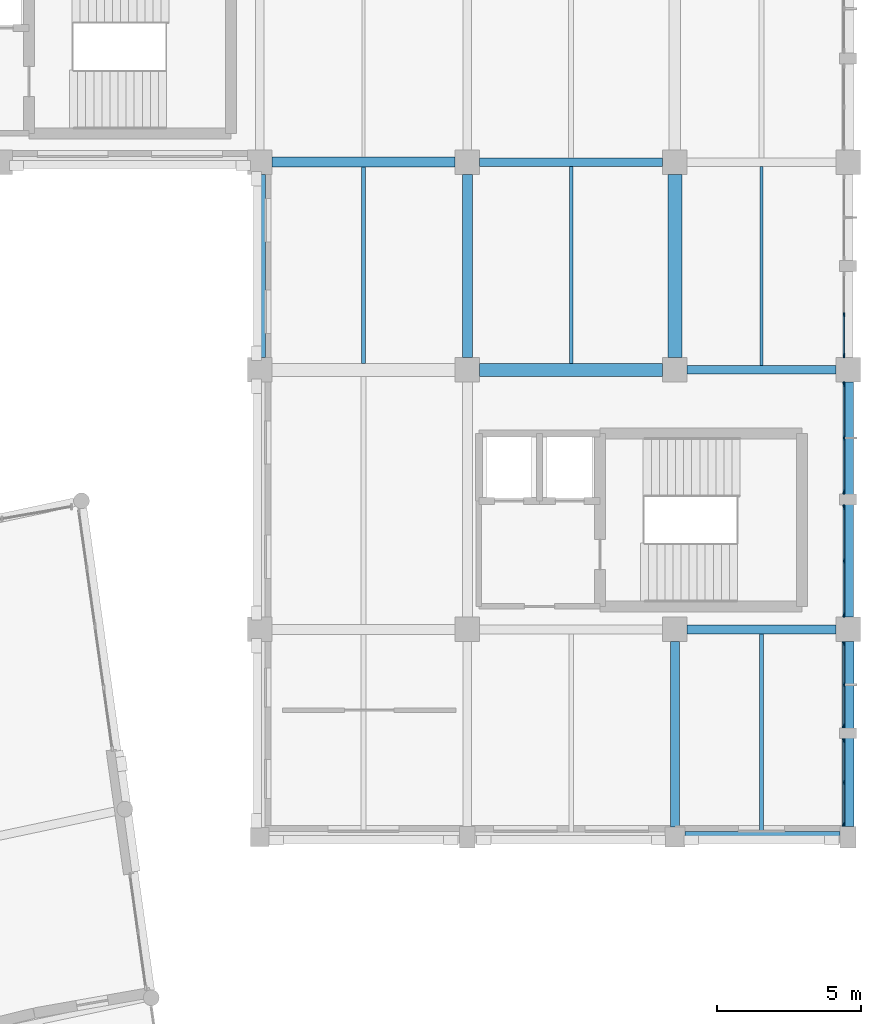
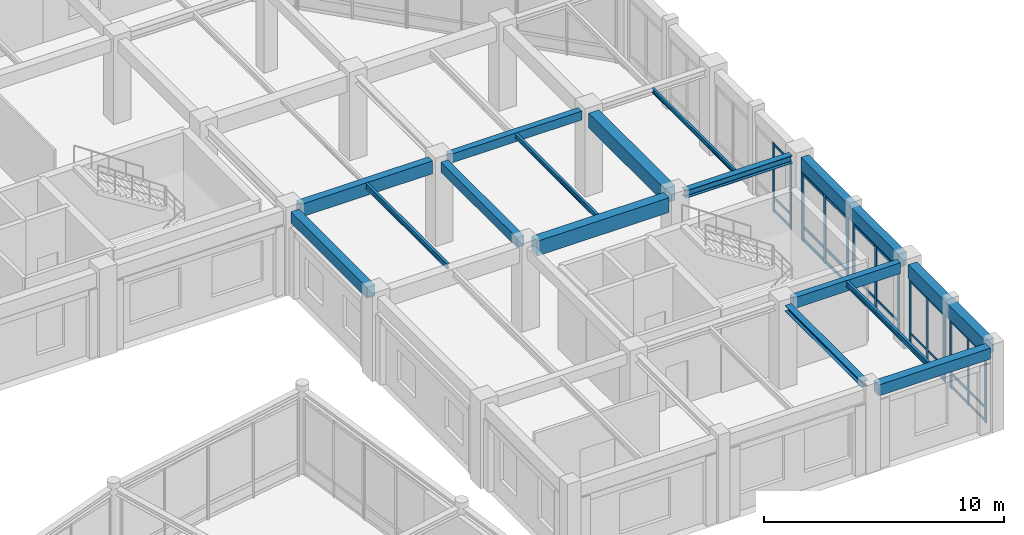
# One storey, part 26 of 62: 41 members, 16 beams, 5 elements without a shape of their own.
"""IFC4 building model written with IfcOpenShell, lengths in metres."""

from ifc_helpers import new_model, si_unit, direction, frame, origin, origin_2d, place, context, subcontext, project, spatial, rectangle, i_section, extrude, material, material_profile, profile_set, type_object, element, aggregate, save


model = new_model("IFC4")

# Units and contexts
model_context = context("Model", 3, precision=1e-05, world=origin(), true_north=direction((0.0, 1.0)))
body_context = subcontext(model_context, "Body", "Model", "MODEL_VIEW")
ifc_project = project(units=[si_unit("LENGTHUNIT", "METRE"), si_unit("AREAUNIT", "SQUARE_METRE"), si_unit("VOLUMEUNIT", "CUBIC_METRE"), si_unit("PLANEANGLEUNIT", "RADIAN"), si_unit("MASSUNIT", "GRAM", prefix="KILO")], contexts=[model_context])

# Site, building, storey
site_placement = place(None, origin())
site = spatial("IfcSite", under=ifc_project, at=site_placement, CompositionType="ELEMENT")
building_placement = place(site_placement, origin())
building = spatial("IfcBuilding", under=site, at=building_placement, Name="Clarverna Civic Hall", CompositionType="ELEMENT")
storey_placement = place(building_placement, frame((0.0, 0.0, 5.10009765625)))
storey = spatial("IfcBuildingStorey", under=building, at=storey_placement, Name="L01", CompositionType="ELEMENT", Elevation=5.10009765625)

# Beams
ifc_material_1 = material(Name="Concrete C35/45", Category="concrete")
ifc_material_profile_1 = material_profile(ifc_material_1, rectangle(XDim=0.35009765625, YDim=0.5, at=origin_2d()), Name="RC 350x500")
ifc_profile_set_1 = profile_set([ifc_material_profile_1], Name="Concrete C35/45")
beam_type_1 = type_object("IfcBeamType", Name="B-RC10", PredefinedType="BEAM", material=ifc_profile_set_1)
beam_1_placement = place(storey_placement, frame((154.800048828125, 88.22509765625, 3.969970703125), z_axis=(0.0, 1.0, 0.0), x_axis=(-1.0, 0.0, 0.0)))
element("IfcBeam", 1, at=beam_1_placement, inside=storey, type_object=beam_type_1, Name="B-RC10-027", PredefinedType="BEAM", context=body_context, shape_type="SweptSolid", body=[
    extrude(rectangle(XDim=0.35009765625, YDim=0.5, at=origin_2d()), origin(), (0.0, 0.0, 1.0), 6.349853515625),
])
ifc_material_profile_2 = material_profile(ifc_material_1, rectangle(XDim=0.300048828125, YDim=0.550048828125, at=origin_2d()), Name="RC 300x550")
ifc_profile_set_2 = profile_set([ifc_material_profile_2], Name="Concrete C35/45")
beam_type_2 = type_object("IfcBeamType", Name="B-RC11", PredefinedType="BEAM", material=ifc_profile_set_2)
beam_2_placement = place(storey_placement, frame((162.425048828125, 78.800048828125, 3.94482421875), z_axis=(1.0, 0.0, 0.0), x_axis=(0.0, 1.0, 0.0)))
element("IfcBeam", 2, at=beam_2_placement, inside=storey, type_object=beam_type_2, Name="B-RC11-024", PredefinedType="BEAM", context=body_context, shape_type="SweptSolid", body=[
    extrude(rectangle(XDim=0.300048828125, YDim=0.550048828125, at=origin_2d()), origin(), (0.0, 0.0, 1.0), 5.14990234375),
])
ifc_material_profile_3 = material_profile(ifc_material_1, rectangle(XDim=0.5, YDim=0.75, at=origin_2d()), Name="RC 500x750")
ifc_profile_set_3 = profile_set([ifc_material_profile_3], Name="Concrete C35/45")
beam_type_3 = type_object("IfcBeamType", Name="B-RC15", PredefinedType="BEAM", material=ifc_profile_set_3)
beam_3_placement = place(storey_placement, frame((162.0, 88.22509765625, 3.844970703125), z_axis=(0.0, 1.0, 0.0), x_axis=(-1.0, 0.0, 0.0)))
element("IfcBeam", 3, at=beam_3_placement, inside=storey, type_object=beam_type_3, Name="B-RC15-033", PredefinedType="BEAM", context=body_context, shape_type="SweptSolid", body=[
    extrude(rectangle(XDim=0.5, YDim=0.75, at=origin_2d()), origin(), (0.0, 0.0, 1.0), 6.349853515625),
])
ifc_material_profile_4 = material_profile(ifc_material_1, rectangle(XDim=0.35009765625, YDim=0.64990234375, at=origin_2d()), Name="RC 350x650")
ifc_profile_set_4 = profile_set([ifc_material_profile_4], Name="Concrete C35/45")
beam_type_4 = type_object("IfcBeamType", Name="B-RC17", PredefinedType="BEAM", material=ifc_profile_set_4)
beam_4_placement = place(storey_placement, frame((148.02490234375, 95.0, 3.89501953125), z_axis=(1.0, 0.0, 0.0), x_axis=(0.0, 1.0, 0.0)))
element("IfcBeam", 4, at=beam_4_placement, inside=storey, type_object=beam_type_4, Name="B-RC17-025", PredefinedType="BEAM", context=body_context, shape_type="SweptSolid", body=[
    extrude(rectangle(XDim=0.35009765625, YDim=0.64990234375, at=origin_2d()), origin(), (0.0, 0.0, 1.0), 6.35009765625),
])
ifc_material_profile_5 = material_profile(ifc_material_1, rectangle(XDim=0.300048828125, YDim=0.449951171875, at=origin_2d()), Name="RC 300x450")
ifc_profile_set_5 = profile_set([ifc_material_profile_5], Name="Concrete C35/45")
beam_type_5 = type_object("IfcBeamType", Name="B-RC18", PredefinedType="BEAM", material=ifc_profile_set_5)
beam_5_placement = place(storey_placement, frame((155.22509765625, 95.0, 3.994873046875), z_axis=(1.0, 0.0, 0.0), x_axis=(0.0, 1.0, 0.0)))
element("IfcBeam", 5, at=beam_5_placement, inside=storey, type_object=beam_type_5, Name="B-RC18-024", PredefinedType="BEAM", context=body_context, shape_type="SweptSolid", body=[
    extrude(rectangle(XDim=0.300048828125, YDim=0.449951171875, at=origin_2d()), origin(), (0.0, 0.0, 1.0), 6.349853515625),
])
ifc_material_profile_6 = material_profile(ifc_material_1, rectangle(XDim=0.449951171875, YDim=0.75, at=origin_2d()), Name="RC 450x750")
ifc_profile_set_6 = profile_set([ifc_material_profile_6], Name="Concrete C35/45")
beam_type_6 = type_object("IfcBeamType", Name="B-RC3", PredefinedType="BEAM", material=ifc_profile_set_6)
beam_6_placement = place(storey_placement, frame((155.22509765625, 87.800048828125, 3.844970703125), z_axis=(1.0, 0.0, 0.0), x_axis=(0.0, 1.0, 0.0)))
element("IfcBeam", 6, at=beam_6_placement, inside=storey, type_object=beam_type_6, Name="B-RC3-023", PredefinedType="BEAM", context=body_context, shape_type="SweptSolid", body=[
    extrude(rectangle(XDim=0.449951171875, YDim=0.75, at=origin_2d()), origin(), (0.0, 0.0, 1.0), 6.349853515625),
])
ifc_material_profile_7 = material_profile(ifc_material_1, rectangle(XDim=0.419921875, YDim=0.719970703125, at=origin_2d()), Name="RC 420x720")
ifc_profile_set_7 = profile_set([ifc_material_profile_7], Name="Concrete C35/45")
beam_type_7 = type_object("IfcBeamType", Name="B-SP1", PredefinedType="SPANDREL", material=ifc_profile_set_7)
beam_7_placement = place(storey_placement, frame((168.0, 71.97509765625, 3.85986328125), z_axis=(0.0, 1.0, 0.0), x_axis=(-1.0, 0.0, 0.0)))
element("IfcBeam", 7, at=beam_7_placement, inside=storey, type_object=beam_type_7, Name="B-SP1-080", PredefinedType="SPANDREL", context=body_context, shape_type="SweptSolid", body=[
    extrude(rectangle(XDim=0.419921875, YDim=0.719970703125, at=origin_2d()), origin(), (0.0, 0.0, 1.0), 6.39990234375),
])
ifc_material_profile_8 = material_profile(ifc_material_1, rectangle(XDim=0.3798828125, YDim=0.679931640625, at=origin_2d()), Name="RC 380x680")
ifc_profile_set_8 = profile_set([ifc_material_profile_8], Name="Concrete C35/45")
beam_type_8 = type_object("IfcBeamType", Name="B-SP2", PredefinedType="SPANDREL", material=ifc_profile_set_8)
beam_8_placement = place(storey_placement, frame((168.0, 79.22509765625, 3.8798828125), z_axis=(0.0, 1.0, 0.0), x_axis=(-1.0, 0.0, 0.0)))
element("IfcBeam", 8, at=beam_8_placement, inside=storey, type_object=beam_type_8, Name="B-SP2-081", PredefinedType="SPANDREL", context=body_context, shape_type="SweptSolid", body=[
    extrude(rectangle(XDim=0.3798828125, YDim=0.679931640625, at=origin_2d()), origin(), (0.0, 0.0, 1.0), 8.14990234375),
])
ifc_material_profile_9 = material_profile(ifc_material_1, rectangle(XDim=0.39990234375, YDim=0.56005859375, at=origin_2d()), Name="RC 400x560")
ifc_profile_set_9 = profile_set([ifc_material_profile_9], Name="Concrete C35/45")
beam_type_9 = type_object("IfcBeamType", Name="B-SP4", PredefinedType="SPANDREL", material=ifc_profile_set_9)
beam_9_placement = place(storey_placement, frame((162.35009765625, 71.60009765625, 3.93994140625), z_axis=(1.0, 0.0, 0.0), x_axis=(0.0, 1.0, 0.0)))
element("IfcBeam", 9, at=beam_9_placement, inside=storey, type_object=beam_type_9, Name="B-SP4-059", PredefinedType="SPANDREL", context=body_context, shape_type="SweptSolid", body=[
    extrude(rectangle(XDim=0.39990234375, YDim=0.56005859375, at=origin_2d()), origin(), (0.0, 0.0, 1.0), 5.375),
])
beam_10_placement = place(storey_placement, frame((147.60009765625, 88.22509765625, 3.93994140625), z_axis=(0.0, 1.0, 0.0), x_axis=(-1.0, 0.0, 0.0)))
element("IfcBeam", 10, at=beam_10_placement, inside=storey, type_object=beam_type_9, Name="B-SP4-079", PredefinedType="SPANDREL", context=body_context, shape_type="SweptSolid", body=[
    extrude(rectangle(XDim=0.39990234375, YDim=0.56005859375, at=origin_2d()), origin(), (0.0, 0.0, 1.0), 6.349853515625),
])
ifc_material_2 = material(Name="Steel S355", Category="steel")
ifc_material_profile_10 = material_profile(ifc_material_2, i_section(OverallWidth=0.300048828125, OverallDepth=0.2900390625, WebThickness=0.008544921875, FlangeThickness=0.013916015625, FilletRadius=0.027099609375, at=origin_2d()), Name="HEA 300")
ifc_profile_set_10 = profile_set([ifc_material_profile_10], Name="Steel S355")
beam_type_10 = type_object("IfcBeamType", Name="B-ST10", PredefinedType="BEAM", material=ifc_profile_set_10)
beam_11_placement = place(storey_placement, frame((162.0, 71.949951171875, 4.074951171875), z_axis=(0.0, 1.0, 0.0), x_axis=(-1.0, 0.0, 0.0)))
element("IfcBeam", 11, at=beam_11_placement, inside=storey, type_object=beam_type_10, Name="B-ST10-006", PredefinedType="BEAM", context=body_context, shape_type="SweptSolid", body=[
    extrude(i_section(OverallWidth=0.300048828125, OverallDepth=0.2900390625, WebThickness=0.008544921875, FlangeThickness=0.013916015625, FilletRadius=0.027099609375, at=origin_2d()), origin(), (0.0, 0.0, 1.0), 6.425048828125),
])
ifc_material_profile_11 = material_profile(ifc_material_2, i_section(OverallWidth=0.300048828125, OverallDepth=0.389892578125, WebThickness=0.010986328125, FlangeThickness=0.01904296875, FilletRadius=0.027099609375, at=origin_2d()), Name="HEA 400")
ifc_profile_set_11 = profile_set([ifc_material_profile_11], Name="Steel S355")
beam_type_11 = type_object("IfcBeamType", Name="B-ST6", PredefinedType="BEAM", material=ifc_profile_set_11)
beam_12_placement = place(storey_placement, frame((162.425048828125, 87.800048828125, 4.02490234375), z_axis=(1.0, 0.0, 0.0), x_axis=(0.0, 1.0, 0.0)))
element("IfcBeam", 12, at=beam_12_placement, inside=storey, type_object=beam_type_11, Name="B-ST6-005", PredefinedType="BEAM", context=body_context, shape_type="SweptSolid", body=[
    extrude(i_section(OverallWidth=0.300048828125, OverallDepth=0.389892578125, WebThickness=0.010986328125, FlangeThickness=0.01904296875, FilletRadius=0.027099609375, at=origin_2d()), origin(), (0.0, 0.0, 1.0), 5.14990234375),
])

# Curtain wall, members
ifc_material_3 = material(Name="Anodised Bronze Architectural Aluminium", Category="aluminium")
curtain_wall_type = type_object("IfcCurtainWallType", Name="CW-01", PredefinedType="USERDEFINED", material=ifc_material_3)
curtain_wall_1_placement = place(storey_placement, origin())
curtain_wall_1 = element("IfcCurtainWall", 13, at=curtain_wall_1_placement, inside=storey, type_object=curtain_wall_type, Name="CW-01-010", ObjectType="UNITISED CURTAIN WALL", PredefinedType="USERDEFINED")
ifc_material_profile_12 = material_profile(ifc_material_3, rectangle(XDim=0.06005859375, YDim=0.159912109375, at=origin_2d()), Name="BRONZE 60x160")
ifc_profile_set_12 = profile_set([ifc_material_profile_12], Name="Anodised Bronze Architectural Aluminium")
member_type_1 = type_object("IfcMemberType", Name="CWM-02", PredefinedType="MULLION", material=ifc_profile_set_12)
member_1_placement = place(storey_placement, frame((167.860107421875, 87.302001953125, 0.0), z_axis=(0.0, 0.0, 1.0), x_axis=(1.0, 0.0, 0.0)))
member_1 = element("IfcMember", 14, at=member_1_placement, type_object=member_type_1, Name="CWM-02-046", PredefinedType="MULLION", context=body_context, shape_type="SweptSolid", body=[
    extrude(rectangle(XDim=0.06005859375, YDim=0.159912109375, at=origin_2d()), origin(), (0.0, 0.0, 1.0), 3.5),
])
member_2_placement = place(storey_placement, frame((167.860107421875, 85.4326171875, 0.0), z_axis=(0.0, 0.0, 1.0), x_axis=(1.0, 0.0, 0.0)))
member_2 = element("IfcMember", 15, at=member_2_placement, type_object=member_type_1, Name="CWM-02-047", PredefinedType="MULLION", context=body_context, shape_type="SweptSolid", body=[
    extrude(rectangle(XDim=0.06005859375, YDim=0.159912109375, at=origin_2d()), origin(), (0.0, 0.0, 1.0), 3.5),
])
member_3_placement = place(storey_placement, frame((167.860107421875, 83.56298828125, 0.0), z_axis=(0.0, 0.0, 1.0), x_axis=(1.0, 0.0, 0.0)))
member_3 = element("IfcMember", 16, at=member_3_placement, type_object=member_type_1, Name="CWM-02-048", PredefinedType="MULLION", context=body_context, shape_type="SweptSolid", body=[
    extrude(rectangle(XDim=0.06005859375, YDim=0.159912109375, at=origin_2d()), origin(), (0.0, 0.0, 1.0), 3.5),
])

curtain_wall_2_placement = place(storey_placement, origin())
curtain_wall_2 = element("IfcCurtainWall", 17, at=curtain_wall_2_placement, inside=storey, type_object=curtain_wall_type, Name="CW-01-011", ObjectType="UNITISED CURTAIN WALL", PredefinedType="USERDEFINED")
member_4_placement = place(storey_placement, frame((167.860107421875, 83.037109375, 0.0), z_axis=(0.0, 0.0, 1.0), x_axis=(1.0, 0.0, 0.0)))
member_4 = element("IfcMember", 18, at=member_4_placement, type_object=member_type_1, Name="CWM-02-049", PredefinedType="MULLION", context=body_context, shape_type="SweptSolid", body=[
    extrude(rectangle(XDim=0.06005859375, YDim=0.159912109375, at=origin_2d()), origin(), (0.0, 0.0, 1.0), 3.5),
])
member_5_placement = place(storey_placement, frame((167.860107421875, 81.16748046875, 0.0), z_axis=(0.0, 0.0, 1.0), x_axis=(1.0, 0.0, 0.0)))
member_5 = element("IfcMember", 19, at=member_5_placement, type_object=member_type_1, Name="CWM-02-050", PredefinedType="MULLION", context=body_context, shape_type="SweptSolid", body=[
    extrude(rectangle(XDim=0.06005859375, YDim=0.159912109375, at=origin_2d()), origin(), (0.0, 0.0, 1.0), 3.5),
])
member_6_placement = place(storey_placement, frame((167.860107421875, 79.298095703125, 0.0), z_axis=(0.0, 0.0, 1.0), x_axis=(1.0, 0.0, 0.0)))
member_6 = element("IfcMember", 20, at=member_6_placement, type_object=member_type_1, Name="CWM-02-051", PredefinedType="MULLION", context=body_context, shape_type="SweptSolid", body=[
    extrude(rectangle(XDim=0.06005859375, YDim=0.159912109375, at=origin_2d()), origin(), (0.0, 0.0, 1.0), 3.5),
])

curtain_wall_3_placement = place(storey_placement, origin())
curtain_wall_3 = element("IfcCurtainWall", 21, at=curtain_wall_3_placement, inside=storey, type_object=curtain_wall_type, Name="CW-01-009", ObjectType="UNITISED CURTAIN WALL", PredefinedType="USERDEFINED")
ifc_material_profile_13 = material_profile(ifc_material_3, rectangle(XDim=0.054931640625, YDim=0.139892578125, at=origin_2d()), Name="BRONZE 55x140")
ifc_profile_set_13 = profile_set([ifc_material_profile_13], Name="Anodised Bronze Architectural Aluminium")
member_type_2 = type_object("IfcMemberType", Name="CWM-04", PredefinedType="MULLION", material=ifc_profile_set_13)
member_7_placement = place(storey_placement, frame((167.860107421875, 89.717529296875, 0.0), z_axis=(0.0, 0.0, 1.0), x_axis=(1.0, 0.0, 0.0)))
member_7 = element("IfcMember", 22, at=member_7_placement, type_object=member_type_2, Name="CWM-04-046", PredefinedType="MULLION", context=body_context, shape_type="SweptSolid", body=[
    extrude(rectangle(XDim=0.054931640625, YDim=0.139892578125, at=origin_2d()), origin(), (0.0, 0.0, 1.0), 3.539794921875),
])
member_8_placement = place(storey_placement, frame((167.860107421875, 88.298095703125, 0.0), z_axis=(0.0, 0.0, 1.0), x_axis=(1.0, 0.0, 0.0)))
member_8 = element("IfcMember", 23, at=member_8_placement, type_object=member_type_2, Name="CWM-04-047", PredefinedType="MULLION", context=body_context, shape_type="SweptSolid", body=[
    extrude(rectangle(XDim=0.054931640625, YDim=0.139892578125, at=origin_2d()), origin(), (0.0, 0.0, 1.0), 3.539794921875),
])

curtain_wall_4_placement = place(storey_placement, origin())
curtain_wall_4 = element("IfcCurtainWall", 24, at=curtain_wall_4_placement, inside=storey, type_object=curtain_wall_type, Name="CW-01-012", ObjectType="UNITISED CURTAIN WALL", PredefinedType="USERDEFINED")
member_9_placement = place(storey_placement, frame((167.860107421875, 78.302001953125, 0.0), z_axis=(0.0, 0.0, 1.0), x_axis=(1.0, 0.0, 0.0)))
member_9 = element("IfcMember", 25, at=member_9_placement, type_object=member_type_2, Name="CWM-04-048", PredefinedType="MULLION", context=body_context, shape_type="SweptSolid", body=[
    extrude(rectangle(XDim=0.054931640625, YDim=0.139892578125, at=origin_2d()), origin(), (0.0, 0.0, 1.0), 3.5),
])
member_10_placement = place(storey_placement, frame((167.860107421875, 76.882568359375, 0.0), z_axis=(0.0, 0.0, 1.0), x_axis=(1.0, 0.0, 0.0)))
member_10 = element("IfcMember", 26, at=member_10_placement, type_object=member_type_2, Name="CWM-04-049", PredefinedType="MULLION", context=body_context, shape_type="SweptSolid", body=[
    extrude(rectangle(XDim=0.054931640625, YDim=0.139892578125, at=origin_2d()), origin(), (0.0, 0.0, 1.0), 3.5),
])
member_11_placement = place(storey_placement, frame((167.860107421875, 75.462890625, 0.0), z_axis=(0.0, 0.0, 1.0), x_axis=(1.0, 0.0, 0.0)))
member_11 = element("IfcMember", 27, at=member_11_placement, type_object=member_type_2, Name="CWM-04-050", PredefinedType="MULLION", context=body_context, shape_type="SweptSolid", body=[
    extrude(rectangle(XDim=0.054931640625, YDim=0.139892578125, at=origin_2d()), origin(), (0.0, 0.0, 1.0), 3.5),
])

curtain_wall_5_placement = place(storey_placement, origin())
curtain_wall_5 = element("IfcCurtainWall", 28, at=curtain_wall_5_placement, inside=storey, type_object=curtain_wall_type, Name="CW-01-013", ObjectType="UNITISED CURTAIN WALL", PredefinedType="USERDEFINED")
member_12_placement = place(storey_placement, frame((167.860107421875, 74.93701171875, 0.0), z_axis=(0.0, 0.0, 1.0), x_axis=(1.0, 0.0, 0.0)))
member_12 = element("IfcMember", 29, at=member_12_placement, type_object=member_type_2, Name="CWM-04-051", PredefinedType="MULLION", context=body_context, shape_type="SweptSolid", body=[
    extrude(rectangle(XDim=0.054931640625, YDim=0.139892578125, at=origin_2d()), origin(), (0.0, 0.0, 1.0), 3.5),
])
member_13_placement = place(storey_placement, frame((167.860107421875, 73.492431640625, 0.0), z_axis=(0.0, 0.0, 1.0), x_axis=(1.0, 0.0, 0.0)))
member_13 = element("IfcMember", 30, at=member_13_placement, type_object=member_type_2, Name="CWM-04-052", PredefinedType="MULLION", context=body_context, shape_type="SweptSolid", body=[
    extrude(rectangle(XDim=0.054931640625, YDim=0.139892578125, at=origin_2d()), origin(), (0.0, 0.0, 1.0), 3.5),
])
member_14_placement = place(storey_placement, frame((167.860107421875, 72.048095703125, 0.0), z_axis=(0.0, 0.0, 1.0), x_axis=(1.0, 0.0, 0.0)))
member_14 = element("IfcMember", 31, at=member_14_placement, type_object=member_type_2, Name="CWM-04-053", PredefinedType="MULLION", context=body_context, shape_type="SweptSolid", body=[
    extrude(rectangle(XDim=0.054931640625, YDim=0.139892578125, at=origin_2d()), origin(), (0.0, 0.0, 1.0), 3.5),
])

# Member
ifc_material_profile_14 = material_profile(ifc_material_3, rectangle(XDim=0.06005859375, YDim=0.1298828125, at=origin_2d()), Name="BRONZE 60x130")
ifc_profile_set_14 = profile_set([ifc_material_profile_14], Name="Anodised Bronze Architectural Aluminium")
member_type_3 = type_object("IfcMemberType", Name="CWT-02", PredefinedType="USERDEFINED", material=ifc_profile_set_14)
member_15_placement = place(storey_placement, frame((167.860107421875, 87.287109375, 0.094970703125), z_axis=(0.0, -1.0, 0.0), x_axis=(1.0, 0.0, 0.0)))
member_15 = element("IfcMember", 32, at=member_15_placement, type_object=member_type_3, Name="CWT-02-094", ObjectType="TRANSOM", PredefinedType="USERDEFINED", context=body_context, shape_type="SweptSolid", body=[
    extrude(rectangle(XDim=0.06005859375, YDim=0.1298828125, at=origin_2d()), origin(), (0.0, 0.0, 1.0), 1.839599609375),
])

member_16_placement = place(storey_placement, frame((167.860107421875, 87.287109375, 0.75), z_axis=(0.0, -1.0, 0.0), x_axis=(1.0, 0.0, 0.0)))
member_16 = element("IfcMember", 33, at=member_16_placement, type_object=member_type_3, Name="CWT-02-095", ObjectType="TRANSOM", PredefinedType="USERDEFINED", context=body_context, shape_type="SweptSolid", body=[
    extrude(rectangle(XDim=0.06005859375, YDim=0.1298828125, at=origin_2d()), origin(), (0.0, 0.0, 1.0), 1.839599609375),
])

member_17_placement = place(storey_placement, frame((167.860107421875, 87.287109375, 3.40478515625), z_axis=(0.0, -1.0, 0.0), x_axis=(1.0, 0.0, 0.0)))
member_17 = element("IfcMember", 34, at=member_17_placement, type_object=member_type_3, Name="CWT-02-096", ObjectType="TRANSOM", PredefinedType="USERDEFINED", context=body_context, shape_type="SweptSolid", body=[
    extrude(rectangle(XDim=0.06005859375, YDim=0.1298828125, at=origin_2d()), origin(), (0.0, 0.0, 1.0), 1.839599609375),
])

member_18_placement = place(storey_placement, frame((167.860107421875, 85.41748046875, 0.094970703125), z_axis=(0.0, -1.0, 0.0), x_axis=(1.0, 0.0, 0.0)))
member_18 = element("IfcMember", 35, at=member_18_placement, type_object=member_type_3, Name="CWT-02-097", ObjectType="TRANSOM", PredefinedType="USERDEFINED", context=body_context, shape_type="SweptSolid", body=[
    extrude(rectangle(XDim=0.06005859375, YDim=0.1298828125, at=origin_2d()), origin(), (0.0, 0.0, 1.0), 1.839599609375),
])

member_19_placement = place(storey_placement, frame((167.860107421875, 85.41748046875, 0.75), z_axis=(0.0, -1.0, 0.0), x_axis=(1.0, 0.0, 0.0)))
member_19 = element("IfcMember", 36, at=member_19_placement, type_object=member_type_3, Name="CWT-02-098", ObjectType="TRANSOM", PredefinedType="USERDEFINED", context=body_context, shape_type="SweptSolid", body=[
    extrude(rectangle(XDim=0.06005859375, YDim=0.1298828125, at=origin_2d()), origin(), (0.0, 0.0, 1.0), 1.839599609375),
])

member_20_placement = place(storey_placement, frame((167.860107421875, 85.41748046875, 3.40478515625), z_axis=(0.0, -1.0, 0.0), x_axis=(1.0, 0.0, 0.0)))
member_20 = element("IfcMember", 37, at=member_20_placement, type_object=member_type_3, Name="CWT-02-099", ObjectType="TRANSOM", PredefinedType="USERDEFINED", context=body_context, shape_type="SweptSolid", body=[
    extrude(rectangle(XDim=0.06005859375, YDim=0.1298828125, at=origin_2d()), origin(), (0.0, 0.0, 1.0), 1.839599609375),
])

aggregate(curtain_wall_1, [member_1, member_2, member_3, member_15, member_16, member_17, member_18, member_19, member_20])

member_21_placement = place(storey_placement, frame((167.860107421875, 83.02197265625, 0.094970703125), z_axis=(0.0, -1.0, 0.0), x_axis=(1.0, 0.0, 0.0)))
member_21 = element("IfcMember", 38, at=member_21_placement, type_object=member_type_3, Name="CWT-02-100", ObjectType="TRANSOM", PredefinedType="USERDEFINED", context=body_context, shape_type="SweptSolid", body=[
    extrude(rectangle(XDim=0.06005859375, YDim=0.1298828125, at=origin_2d()), origin(), (0.0, 0.0, 1.0), 1.83935546875),
])

member_22_placement = place(storey_placement, frame((167.860107421875, 83.02197265625, 0.75), z_axis=(0.0, -1.0, 0.0), x_axis=(1.0, 0.0, 0.0)))
member_22 = element("IfcMember", 39, at=member_22_placement, type_object=member_type_3, Name="CWT-02-101", ObjectType="TRANSOM", PredefinedType="USERDEFINED", context=body_context, shape_type="SweptSolid", body=[
    extrude(rectangle(XDim=0.06005859375, YDim=0.1298828125, at=origin_2d()), origin(), (0.0, 0.0, 1.0), 1.83935546875),
])

member_23_placement = place(storey_placement, frame((167.860107421875, 83.02197265625, 3.40478515625), z_axis=(0.0, -1.0, 0.0), x_axis=(1.0, 0.0, 0.0)))
member_23 = element("IfcMember", 40, at=member_23_placement, type_object=member_type_3, Name="CWT-02-102", ObjectType="TRANSOM", PredefinedType="USERDEFINED", context=body_context, shape_type="SweptSolid", body=[
    extrude(rectangle(XDim=0.06005859375, YDim=0.1298828125, at=origin_2d()), origin(), (0.0, 0.0, 1.0), 1.83935546875),
])

member_24_placement = place(storey_placement, frame((167.860107421875, 81.152587890625, 0.094970703125), z_axis=(0.0, -1.0, 0.0), x_axis=(1.0, 0.0, 0.0)))
member_24 = element("IfcMember", 41, at=member_24_placement, type_object=member_type_3, Name="CWT-02-103", ObjectType="TRANSOM", PredefinedType="USERDEFINED", context=body_context, shape_type="SweptSolid", body=[
    extrude(rectangle(XDim=0.06005859375, YDim=0.1298828125, at=origin_2d()), origin(), (0.0, 0.0, 1.0), 1.839599609375),
])

member_25_placement = place(storey_placement, frame((167.860107421875, 81.152587890625, 0.75), z_axis=(0.0, -1.0, 0.0), x_axis=(1.0, 0.0, 0.0)))
member_25 = element("IfcMember", 42, at=member_25_placement, type_object=member_type_3, Name="CWT-02-104", ObjectType="TRANSOM", PredefinedType="USERDEFINED", context=body_context, shape_type="SweptSolid", body=[
    extrude(rectangle(XDim=0.06005859375, YDim=0.1298828125, at=origin_2d()), origin(), (0.0, 0.0, 1.0), 1.839599609375),
])

member_26_placement = place(storey_placement, frame((167.860107421875, 81.152587890625, 3.40478515625), z_axis=(0.0, -1.0, 0.0), x_axis=(1.0, 0.0, 0.0)))
member_26 = element("IfcMember", 43, at=member_26_placement, type_object=member_type_3, Name="CWT-02-105", ObjectType="TRANSOM", PredefinedType="USERDEFINED", context=body_context, shape_type="SweptSolid", body=[
    extrude(rectangle(XDim=0.06005859375, YDim=0.1298828125, at=origin_2d()), origin(), (0.0, 0.0, 1.0), 1.839599609375),
])

aggregate(curtain_wall_2, [member_4, member_5, member_6, member_21, member_22, member_23, member_24, member_25, member_26])

ifc_material_profile_15 = material_profile(ifc_material_3, rectangle(XDim=0.054931640625, YDim=0.110107421875, at=origin_2d()), Name="BRONZE 55x110")
ifc_profile_set_15 = profile_set([ifc_material_profile_15], Name="Anodised Bronze Architectural Aluminium")
member_type_4 = type_object("IfcMemberType", Name="CWT-04", PredefinedType="USERDEFINED", material=ifc_profile_set_15)
member_27_placement = place(storey_placement, frame((167.860107421875, 89.702392578125, 0.094970703125), z_axis=(0.0, -1.0, 0.0), x_axis=(1.0, 0.0, 0.0)))
member_27 = element("IfcMember", 44, at=member_27_placement, type_object=member_type_4, Name="CWT-04-097", ObjectType="TRANSOM", PredefinedType="USERDEFINED", context=body_context, shape_type="SweptSolid", body=[
    extrude(rectangle(XDim=0.054931640625, YDim=0.110107421875, at=origin_2d()), origin(), (0.0, 0.0, 1.0), 1.389404296875),
])

member_28_placement = place(storey_placement, frame((167.860107421875, 89.702392578125, 0.75), z_axis=(0.0, -1.0, 0.0), x_axis=(1.0, 0.0, 0.0)))
member_28 = element("IfcMember", 45, at=member_28_placement, type_object=member_type_4, Name="CWT-04-098", ObjectType="TRANSOM", PredefinedType="USERDEFINED", context=body_context, shape_type="SweptSolid", body=[
    extrude(rectangle(XDim=0.054931640625, YDim=0.110107421875, at=origin_2d()), origin(), (0.0, 0.0, 1.0), 1.389404296875),
])

member_29_placement = place(storey_placement, frame((167.860107421875, 89.702392578125, 3.44482421875), z_axis=(0.0, -1.0, 0.0), x_axis=(1.0, 0.0, 0.0)))
member_29 = element("IfcMember", 46, at=member_29_placement, type_object=member_type_4, Name="CWT-04-099", ObjectType="TRANSOM", PredefinedType="USERDEFINED", context=body_context, shape_type="SweptSolid", body=[
    extrude(rectangle(XDim=0.054931640625, YDim=0.110107421875, at=origin_2d()), origin(), (0.0, 0.0, 1.0), 1.389404296875),
])

aggregate(curtain_wall_3, [member_7, member_8, member_27, member_28, member_29])

member_30_placement = place(storey_placement, frame((167.860107421875, 78.287109375, 0.094970703125), z_axis=(0.0, -1.0, 0.0), x_axis=(1.0, 0.0, 0.0)))
member_30 = element("IfcMember", 47, at=member_30_placement, type_object=member_type_4, Name="CWT-04-100", ObjectType="TRANSOM", PredefinedType="USERDEFINED", context=body_context, shape_type="SweptSolid", body=[
    extrude(rectangle(XDim=0.054931640625, YDim=0.110107421875, at=origin_2d()), origin(), (0.0, 0.0, 1.0), 1.3896484375),
])

member_31_placement = place(storey_placement, frame((167.860107421875, 78.287109375, 0.75), z_axis=(0.0, -1.0, 0.0), x_axis=(1.0, 0.0, 0.0)))
member_31 = element("IfcMember", 48, at=member_31_placement, type_object=member_type_4, Name="CWT-04-101", ObjectType="TRANSOM", PredefinedType="USERDEFINED", context=body_context, shape_type="SweptSolid", body=[
    extrude(rectangle(XDim=0.054931640625, YDim=0.110107421875, at=origin_2d()), origin(), (0.0, 0.0, 1.0), 1.3896484375),
])

member_32_placement = place(storey_placement, frame((167.860107421875, 78.287109375, 3.40478515625), z_axis=(0.0, -1.0, 0.0), x_axis=(1.0, 0.0, 0.0)))
member_32 = element("IfcMember", 49, at=member_32_placement, type_object=member_type_4, Name="CWT-04-102", ObjectType="TRANSOM", PredefinedType="USERDEFINED", context=body_context, shape_type="SweptSolid", body=[
    extrude(rectangle(XDim=0.054931640625, YDim=0.110107421875, at=origin_2d()), origin(), (0.0, 0.0, 1.0), 1.3896484375),
])

member_33_placement = place(storey_placement, frame((167.860107421875, 76.867431640625, 0.094970703125), z_axis=(0.0, -1.0, 0.0), x_axis=(1.0, 0.0, 0.0)))
member_33 = element("IfcMember", 50, at=member_33_placement, type_object=member_type_4, Name="CWT-04-103", ObjectType="TRANSOM", PredefinedType="USERDEFINED", context=body_context, shape_type="SweptSolid", body=[
    extrude(rectangle(XDim=0.054931640625, YDim=0.110107421875, at=origin_2d()), origin(), (0.0, 0.0, 1.0), 1.389404296875),
])

member_34_placement = place(storey_placement, frame((167.860107421875, 76.867431640625, 0.75), z_axis=(0.0, -1.0, 0.0), x_axis=(1.0, 0.0, 0.0)))
member_34 = element("IfcMember", 51, at=member_34_placement, type_object=member_type_4, Name="CWT-04-104", ObjectType="TRANSOM", PredefinedType="USERDEFINED", context=body_context, shape_type="SweptSolid", body=[
    extrude(rectangle(XDim=0.054931640625, YDim=0.110107421875, at=origin_2d()), origin(), (0.0, 0.0, 1.0), 1.389404296875),
])

member_35_placement = place(storey_placement, frame((167.860107421875, 76.867431640625, 3.40478515625), z_axis=(0.0, -1.0, 0.0), x_axis=(1.0, 0.0, 0.0)))
member_35 = element("IfcMember", 52, at=member_35_placement, type_object=member_type_4, Name="CWT-04-105", ObjectType="TRANSOM", PredefinedType="USERDEFINED", context=body_context, shape_type="SweptSolid", body=[
    extrude(rectangle(XDim=0.054931640625, YDim=0.110107421875, at=origin_2d()), origin(), (0.0, 0.0, 1.0), 1.389404296875),
])

aggregate(curtain_wall_4, [member_9, member_10, member_11, member_30, member_31, member_32, member_33, member_34, member_35])

member_36_placement = place(storey_placement, frame((167.860107421875, 74.922119140625, 0.094970703125), z_axis=(0.0, -1.0, 0.0), x_axis=(1.0, 0.0, 0.0)))
member_36 = element("IfcMember", 53, at=member_36_placement, type_object=member_type_4, Name="CWT-04-106", ObjectType="TRANSOM", PredefinedType="USERDEFINED", context=body_context, shape_type="SweptSolid", body=[
    extrude(rectangle(XDim=0.054931640625, YDim=0.110107421875, at=origin_2d()), origin(), (0.0, 0.0, 1.0), 1.41455078125),
])

member_37_placement = place(storey_placement, frame((167.860107421875, 74.922119140625, 0.75), z_axis=(0.0, -1.0, 0.0), x_axis=(1.0, 0.0, 0.0)))
member_37 = element("IfcMember", 54, at=member_37_placement, type_object=member_type_4, Name="CWT-04-107", ObjectType="TRANSOM", PredefinedType="USERDEFINED", context=body_context, shape_type="SweptSolid", body=[
    extrude(rectangle(XDim=0.054931640625, YDim=0.110107421875, at=origin_2d()), origin(), (0.0, 0.0, 1.0), 1.41455078125),
])

member_38_placement = place(storey_placement, frame((167.860107421875, 74.922119140625, 3.40478515625), z_axis=(0.0, -1.0, 0.0), x_axis=(1.0, 0.0, 0.0)))
member_38 = element("IfcMember", 55, at=member_38_placement, type_object=member_type_4, Name="CWT-04-108", ObjectType="TRANSOM", PredefinedType="USERDEFINED", context=body_context, shape_type="SweptSolid", body=[
    extrude(rectangle(XDim=0.054931640625, YDim=0.110107421875, at=origin_2d()), origin(), (0.0, 0.0, 1.0), 1.41455078125),
])

member_39_placement = place(storey_placement, frame((167.860107421875, 73.4775390625, 0.094970703125), z_axis=(0.0, -1.0, 0.0), x_axis=(1.0, 0.0, 0.0)))
member_39 = element("IfcMember", 56, at=member_39_placement, type_object=member_type_4, Name="CWT-04-109", ObjectType="TRANSOM", PredefinedType="USERDEFINED", context=body_context, shape_type="SweptSolid", body=[
    extrude(rectangle(XDim=0.054931640625, YDim=0.110107421875, at=origin_2d()), origin(), (0.0, 0.0, 1.0), 1.41455078125),
])

member_40_placement = place(storey_placement, frame((167.860107421875, 73.4775390625, 0.75), z_axis=(0.0, -1.0, 0.0), x_axis=(1.0, 0.0, 0.0)))
member_40 = element("IfcMember", 57, at=member_40_placement, type_object=member_type_4, Name="CWT-04-110", ObjectType="TRANSOM", PredefinedType="USERDEFINED", context=body_context, shape_type="SweptSolid", body=[
    extrude(rectangle(XDim=0.054931640625, YDim=0.110107421875, at=origin_2d()), origin(), (0.0, 0.0, 1.0), 1.41455078125),
])

member_41_placement = place(storey_placement, frame((167.860107421875, 73.4775390625, 3.40478515625), z_axis=(0.0, -1.0, 0.0), x_axis=(1.0, 0.0, 0.0)))
member_41 = element("IfcMember", 58, at=member_41_placement, type_object=member_type_4, Name="CWT-04-111", ObjectType="TRANSOM", PredefinedType="USERDEFINED", context=body_context, shape_type="SweptSolid", body=[
    extrude(rectangle(XDim=0.054931640625, YDim=0.110107421875, at=origin_2d()), origin(), (0.0, 0.0, 1.0), 1.41455078125),
])

aggregate(curtain_wall_5, [member_12, member_13, member_14, member_36, member_37, member_38, member_39, member_40, member_41])

# Beams
ifc_material_profile_16 = material_profile(ifc_material_2, i_section(OverallWidth=0.135009765625, OverallDepth=0.27001953125, WebThickness=0.006591796875, FlangeThickness=0.01025390625, FilletRadius=0.014892578125, at=origin_2d()), Name="IPE 270")
ifc_profile_set_16 = profile_set([ifc_material_profile_16], Name="Steel S355")
beam_type_12 = type_object("IfcBeamType", Name="J-ST4", PredefinedType="JOIST", material=ifc_profile_set_16)
beam_13_placement = place(storey_placement, frame((165.0, 71.800048828125, 4.0849609375), z_axis=(0.0, 1.0, 0.0), x_axis=(-1.0, 0.0, 0.0)))
element("IfcBeam", 59, at=beam_13_placement, inside=storey, type_object=beam_type_12, Name="J-ST4-043", PredefinedType="JOIST", context=body_context, shape_type="SweptSolid", body=[
    extrude(i_section(OverallWidth=0.135009765625, OverallDepth=0.27001953125, WebThickness=0.006591796875, FlangeThickness=0.01025390625, FilletRadius=0.014892578125, at=origin_2d()), origin(), (0.0, 0.0, 1.0), 6.849853515625),
])
beam_14_placement = place(storey_placement, frame((151.199951171875, 88.02490234375, 4.0849609375), z_axis=(0.0, 1.0, 0.0), x_axis=(-1.0, 0.0, 0.0)))
element("IfcBeam", 60, at=beam_14_placement, inside=storey, type_object=beam_type_12, Name="J-ST4-045", PredefinedType="JOIST", context=body_context, shape_type="SweptSolid", body=[
    extrude(i_section(OverallWidth=0.135009765625, OverallDepth=0.27001953125, WebThickness=0.006591796875, FlangeThickness=0.01025390625, FilletRadius=0.014892578125, at=origin_2d()), origin(), (0.0, 0.0, 1.0), 6.800048828125),
])
ifc_material_profile_17 = material_profile(ifc_material_2, i_section(OverallWidth=0.1201171875, OverallDepth=0.239990234375, WebThickness=0.006103515625, FlangeThickness=0.009765625, FilletRadius=0.014892578125, at=origin_2d()), Name="IPE 240")
ifc_profile_set_17 = profile_set([ifc_material_profile_17], Name="Steel S355")
beam_type_13 = type_object("IfcBeamType", Name="J-ST5", PredefinedType="JOIST", material=ifc_profile_set_17)
beam_15_placement = place(storey_placement, frame((158.39990234375, 88.02490234375, 4.099853515625), z_axis=(0.0, 1.0, 0.0), x_axis=(-1.0, 0.0, 0.0)))
element("IfcBeam", 61, at=beam_15_placement, inside=storey, type_object=beam_type_13, Name="J-ST5-043", PredefinedType="JOIST", context=body_context, shape_type="SweptSolid", body=[
    extrude(i_section(OverallWidth=0.1201171875, OverallDepth=0.239990234375, WebThickness=0.006103515625, FlangeThickness=0.009765625, FilletRadius=0.014892578125, at=origin_2d()), origin(), (0.0, 0.0, 1.0), 6.8251953125),
])
ifc_material_profile_18 = material_profile(ifc_material_2, i_section(OverallWidth=0.110107421875, OverallDepth=0.219970703125, WebThickness=0.005859375, FlangeThickness=0.00927734375, FilletRadius=0.011962890625, at=origin_2d()), Name="IPE 220")
ifc_profile_set_18 = profile_set([ifc_material_profile_18], Name="Steel S355")
beam_type_14 = type_object("IfcBeamType", Name="J-ST6", PredefinedType="JOIST", material=ifc_profile_set_18)
beam_16_placement = place(storey_placement, frame((165.0, 87.949951171875, 4.10986328125), z_axis=(0.0, 1.0, 0.0), x_axis=(-1.0, 0.0, 0.0)))
element("IfcBeam", 62, at=beam_16_placement, inside=storey, type_object=beam_type_14, Name="J-ST6-044", PredefinedType="JOIST", context=body_context, shape_type="SweptSolid", body=[
    extrude(i_section(OverallWidth=0.110107421875, OverallDepth=0.219970703125, WebThickness=0.005859375, FlangeThickness=0.00927734375, FilletRadius=0.011962890625, at=origin_2d()), origin(), (0.0, 0.0, 1.0), 6.900146484375),
])

save(model, "model.ifc")
